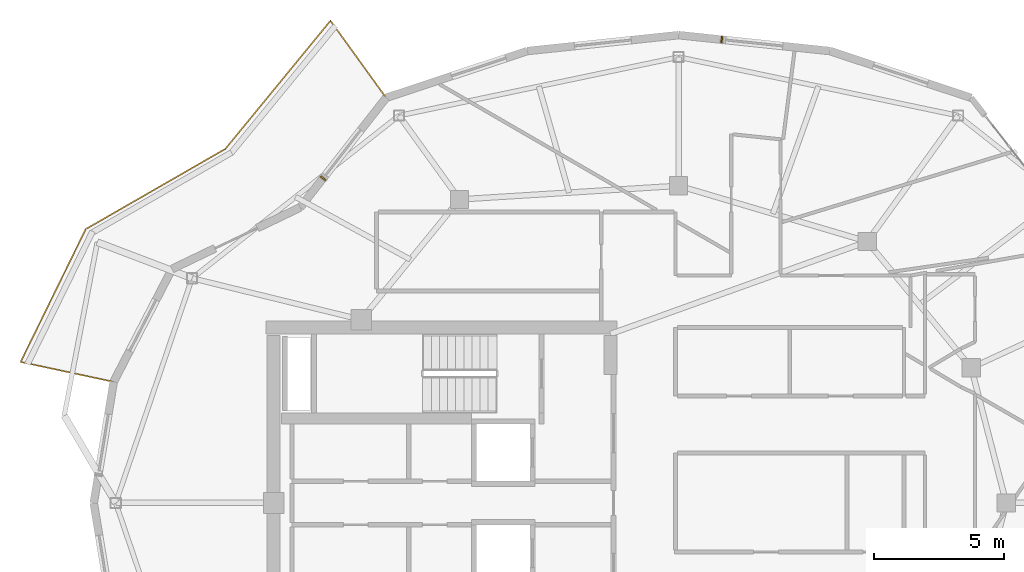
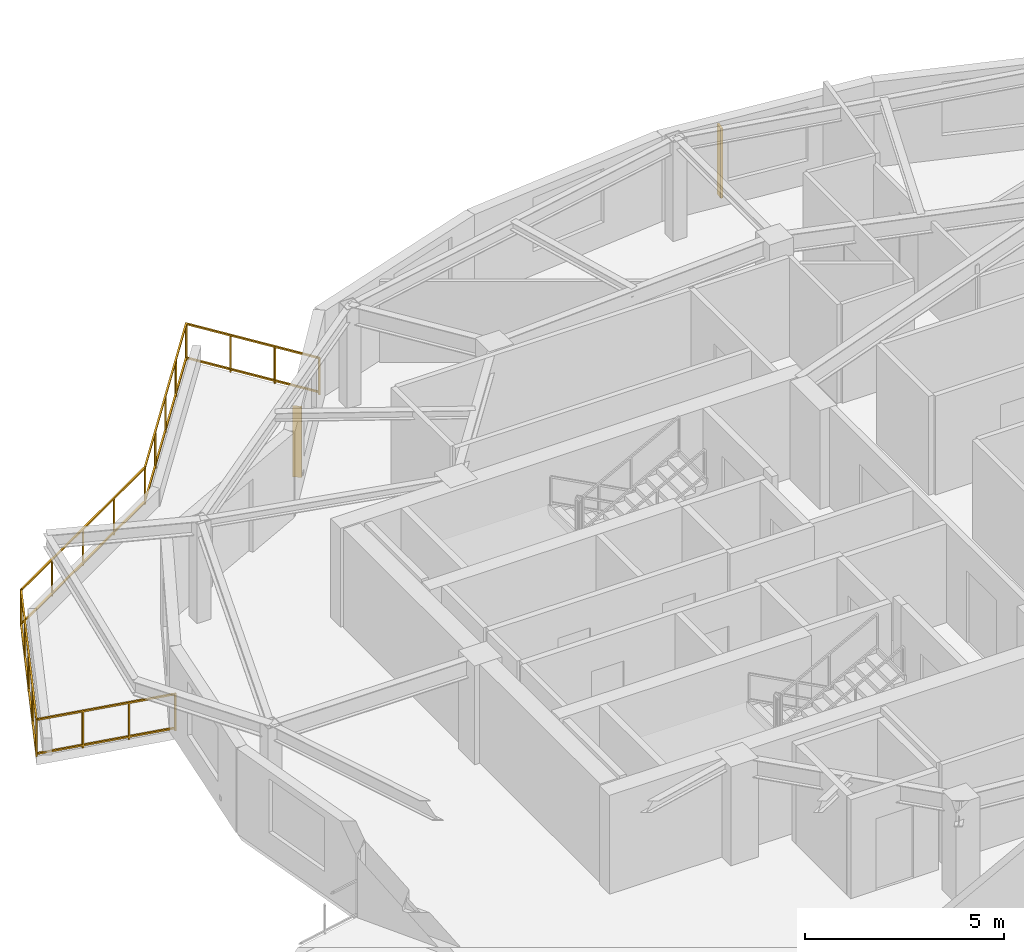
# One storey, part 14 of 14: 2 shading devices, 1 railing.
"""IFC4 building model written with IfcOpenShell, lengths in metres."""

from ifc_helpers import new_model, si_unit, direction, frame, origin, origin_2d, place, context, subcontext, project, spatial, rectangle, extrude, material, type_object, element, save


model = new_model("IFC4")

# Units and contexts
model_context = context("Model", 3, precision=1e-05, world=origin(), true_north=direction((0.0, 1.0)))
body_context = subcontext(model_context, "Body", "Model", "MODEL_VIEW")
ifc_project = project(units=[si_unit("LENGTHUNIT", "METRE"), si_unit("AREAUNIT", "SQUARE_METRE"), si_unit("VOLUMEUNIT", "CUBIC_METRE"), si_unit("PLANEANGLEUNIT", "RADIAN"), si_unit("MASSUNIT", "GRAM", prefix="KILO")], contexts=[model_context])

# Site, building, storey
site_placement = place(None, origin())
site = spatial("IfcSite", under=ifc_project, at=site_placement, CompositionType="ELEMENT")
building_placement = place(site_placement, origin())
building = spatial("IfcBuilding", under=site, at=building_placement, Name="Kolvaren Gate Tower and Convention Centre", CompositionType="ELEMENT")
storey_placement = place(building_placement, frame((0.0, 0.0, 239.300048828125)))
storey = spatial("IfcBuildingStorey", under=building, at=storey_placement, Name="L64", CompositionType="ELEMENT", Elevation=239.300048828125)

# Railing
ifc_material_1 = material(Name="Brushed Stainless Steel Grade 316L", Category="steel")
railing_type = type_object("IfcRailingType", Name="ARCH-RL-GUARD-1150", PredefinedType="GUARDRAIL", material=ifc_material_1)
railing_placement = place(storey_placement, frame((18.875, 42.58837890625, 0.0)))
element("IfcRailing", 1, at=railing_placement, inside=storey, type_object=railing_type, Name="Tower L64 Terrace Perimeter Guardrail GR-1", PredefinedType="GUARDRAIL", context=body_context, shape_type="SweptSolid", body=[
    extrude(rectangle(XDim=0.048095703125, YDim=0.048095703125, at=origin_2d()), frame((-0.016357421875, 0.022705078125, 1.1259765625), z_axis=(-0.585181217189, 0.810902548429, 0.0), x_axis=(-0.810902548429, -0.585181217189, 0.0)), (0.0, 0.0, 1.0), 3.60400390625),
    extrude(rectangle(XDim=0.048095703125, YDim=0.048095703125, at=origin_2d()), frame((-0.016357421875, 0.022705078125, 0.083984375), z_axis=(-0.585181217189, 0.810902548429, 0.0), x_axis=(-0.810902548429, -0.585181217189, 0.0)), (0.0, 0.0, 1.0), 3.60400390625),
    extrude(rectangle(XDim=0.048095703125, YDim=0.048095703125, at=origin_2d()), frame((-2.15966796875, 2.9462890625, 1.1259765625), z_axis=(-0.634050293942, -0.773291810866, 0.0), x_axis=(0.773291810866, -0.634050293942, 0.0)), (0.0, 0.0, 1.0), 6.322509765625),
    extrude(rectangle(XDim=0.048095703125, YDim=0.048095703125, at=origin_2d()), frame((-2.15966796875, 2.9462890625, 0.083984375), z_axis=(-0.634050293942, -0.773291810866, 0.0), x_axis=(0.773291810866, -0.634050293942, 0.0)), (0.0, 0.0, 1.0), 6.322509765625),
    extrude(rectangle(XDim=0.048095703125, YDim=0.048095703125, at=origin_2d()), frame((-6.210693359375, -1.978515625, 1.1259765625), z_axis=(-0.866894385595, -0.498491849706, 0.0), x_axis=(0.498491849706, -0.866894385595, 0.0)), (0.0, 0.0, 1.0), 6.140869140625),
    extrude(rectangle(XDim=0.048095703125, YDim=0.048095703125, at=origin_2d()), frame((-6.210693359375, -1.978515625, 0.083984375), z_axis=(-0.866894385595, -0.498491849706, 0.0), x_axis=(0.498491849706, -0.866894385595, 0.0)), (0.0, 0.0, 1.0), 6.140869140625),
    extrude(rectangle(XDim=0.048095703125, YDim=0.048095703125, at=origin_2d()), frame((-11.57080078125, -5.078857421875, 1.1259765625), z_axis=(-0.440058847499, -0.897968936399, 0.0), x_axis=(0.897968936399, -0.440058847499, 0.0)), (0.0, 0.0, 1.0), 5.63330078125),
    extrude(rectangle(XDim=0.048095703125, YDim=0.048095703125, at=origin_2d()), frame((-11.57080078125, -5.078857421875, 0.083984375), z_axis=(-0.440058847499, -0.897968936399, 0.0), x_axis=(0.897968936399, -0.440058847499, 0.0)), (0.0, 0.0, 1.0), 5.63330078125),
    extrude(rectangle(XDim=0.048095703125, YDim=0.048095703125, at=origin_2d()), frame((-14.03466796875, -10.16845703125, 1.1259765625), z_axis=(0.977788745232, -0.209592866525, 0.0), x_axis=(0.209592866525, 0.977788745232, 0.0)), (0.0, 0.0, 1.0), 3.603759765625),
    extrude(rectangle(XDim=0.048095703125, YDim=0.048095703125, at=origin_2d()), frame((-14.03466796875, -10.16845703125, 0.083984375), z_axis=(0.977788745232, -0.209592866525, 0.0), x_axis=(0.209592866525, 0.977788745232, 0.0)), (0.0, 0.0, 1.0), 3.603759765625),
    extrude(rectangle(XDim=0.0419921875, YDim=0.0419921875, at=origin_2d()), origin(), (0.0, 0.0, 1.0), 1.14990234375),
    extrude(rectangle(XDim=0.0419921875, YDim=0.0419921875, at=origin_2d()), frame((-2.141845703125, 2.968017578125, 0.0)), (0.0, 0.0, 1.0), 1.14990234375),
    extrude(rectangle(XDim=0.0419921875, YDim=0.0419921875, at=origin_2d()), frame((-0.7138671875, 0.9892578125, 0.0)), (0.0, 0.0, 1.0), 1.099853515625),
    extrude(rectangle(XDim=0.0419921875, YDim=0.0419921875, at=origin_2d()), frame((-1.427978515625, 1.978759765625, 0.0)), (0.0, 0.0, 1.0), 1.099853515625),
    extrude(rectangle(XDim=0.0419921875, YDim=0.0419921875, at=origin_2d()), frame((-6.186279296875, -1.964599609375, 0.0)), (0.0, 0.0, 1.0), 1.14990234375),
    extrude(rectangle(XDim=0.0419921875, YDim=0.0419921875, at=origin_2d()), frame((-3.15283203125, 1.73486328125, 0.0)), (0.0, 0.0, 1.0), 1.099853515625),
    extrude(rectangle(XDim=0.0419921875, YDim=0.0419921875, at=origin_2d()), frame((-4.1640625, 0.501708984375, 0.0)), (0.0, 0.0, 1.0), 1.099853515625),
    extrude(rectangle(XDim=0.0419921875, YDim=0.0419921875, at=origin_2d()), frame((-5.17529296875, -0.7314453125, 0.0)), (0.0, 0.0, 1.0), 1.099853515625),
    extrude(rectangle(XDim=0.0419921875, YDim=0.0419921875, at=origin_2d()), frame((-11.558349609375, -5.0537109375, 0.0)), (0.0, 0.0, 1.0), 1.14990234375),
    extrude(rectangle(XDim=0.0419921875, YDim=0.0419921875, at=origin_2d()), frame((-7.529296875, -2.73681640625, 0.0)), (0.0, 0.0, 1.0), 1.099853515625),
    extrude(rectangle(XDim=0.0419921875, YDim=0.0419921875, at=origin_2d()), frame((-8.872314453125, -3.50927734375, 0.0)), (0.0, 0.0, 1.0), 1.099853515625),
    extrude(rectangle(XDim=0.0419921875, YDim=0.0419921875, at=origin_2d()), frame((-10.21533203125, -4.281494140625, 0.0)), (0.0, 0.0, 1.0), 1.099853515625),
    extrude(rectangle(XDim=0.0419921875, YDim=0.0419921875, at=origin_2d()), frame((-14.06201171875, -10.16259765625, 0.0)), (0.0, 0.0, 1.0), 1.14990234375),
    extrude(rectangle(XDim=0.0419921875, YDim=0.0419921875, at=origin_2d()), frame((-12.184326171875, -6.3310546875, 0.0)), (0.0, 0.0, 1.0), 1.099853515625),
    extrude(rectangle(XDim=0.0419921875, YDim=0.0419921875, at=origin_2d()), frame((-12.81005859375, -7.608154296875, 0.0)), (0.0, 0.0, 1.0), 1.099853515625),
    extrude(rectangle(XDim=0.0419921875, YDim=0.0419921875, at=origin_2d()), frame((-13.43603515625, -8.88525390625, 0.0)), (0.0, 0.0, 1.0), 1.099853515625),
    extrude(rectangle(XDim=0.0419921875, YDim=0.0419921875, at=origin_2d()), frame((-10.4833984375, -10.9296875, 0.0)), (0.0, 0.0, 1.0), 1.14990234375),
    extrude(rectangle(XDim=0.0419921875, YDim=0.0419921875, at=origin_2d()), frame((-12.869140625, -10.418212890625, 0.0)), (0.0, 0.0, 1.0), 1.099853515625),
    extrude(rectangle(XDim=0.0419921875, YDim=0.0419921875, at=origin_2d()), frame((-11.67626953125, -10.674072265625, 0.0)), (0.0, 0.0, 1.0), 1.099853515625),
])

# Shading devices
ifc_material_2 = material(Name="Kiln-Fired Bogota Terracotta Ceramic Louvre Profile", Category="masonry")
shading_device_type = type_object("IfcShadingDeviceType", Name="ARCH-SHD-FIN-180", PredefinedType="JALOUSIE", material=ifc_material_2)
for number, where, z_axis, x_axis, name in (
    (2, (31.78369140625, 44.8251953125, 0.219970703125), (0.0, 0.0, 1.0), (0.994499981166, -0.104736753152, 0.0), "Ceramic Vertical Brise-Soleil Fin FN-L64-05"),
    (3, (16.447509765625, 39.487548828125, 0.219970703125), (0.0, 0.0, 1.0), (0.616435493395, 0.787405411769, 0.0), "Ceramic Vertical Brise-Soleil Fin FN-L64-08"),
):
    element("IfcShadingDevice", number, at=place(storey_placement, frame(where, z_axis=z_axis, x_axis=x_axis)), inside=storey, type_object=shading_device_type, Name=name, PredefinedType="JALOUSIE", context=body_context, shape_type="SweptSolid", body=[
        extrude(rectangle(XDim=0.06005859375, YDim=0.239990234375, at=origin_2d()), origin(), (0.0, 0.0, 1.0), 2.14990234375),
    ])

save(model, "model.ifc")
